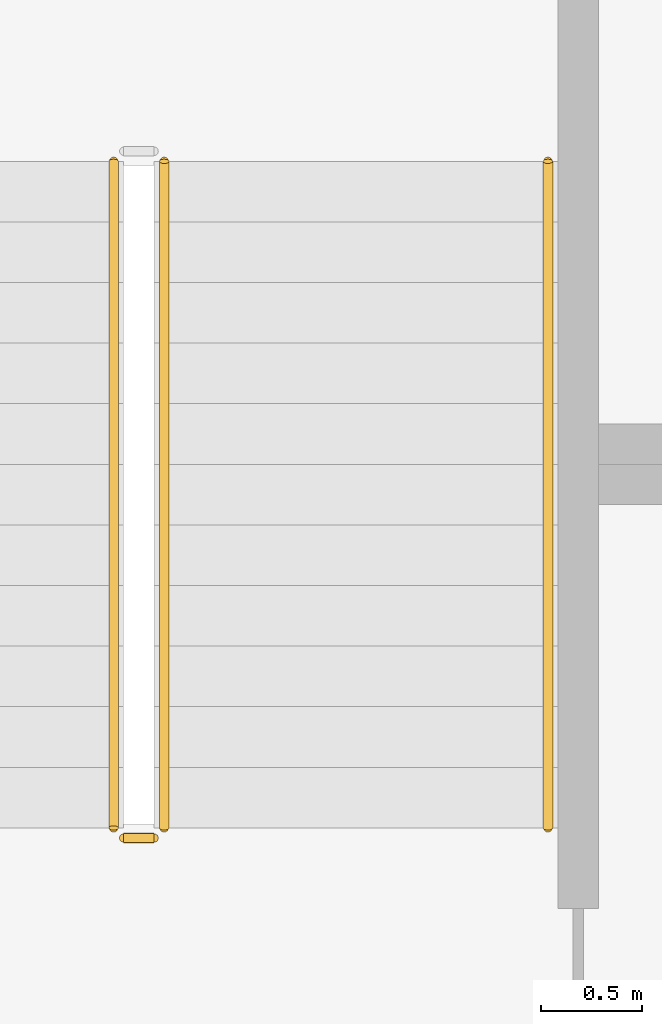
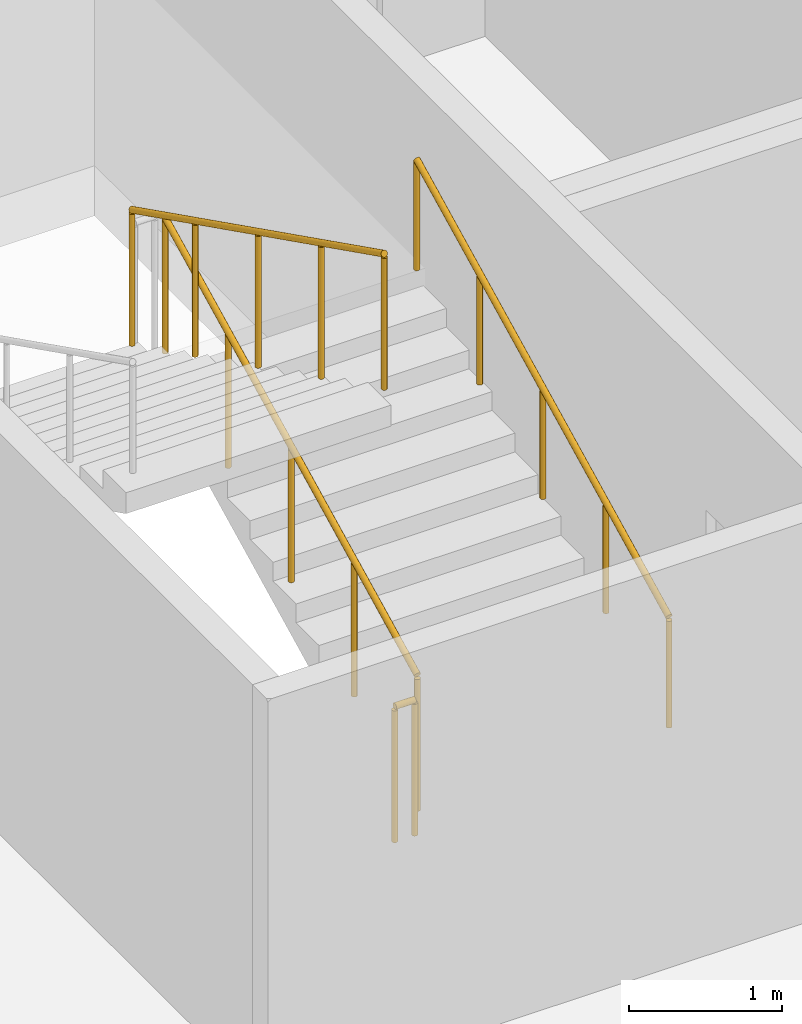
# One storey, part 33 of 37: 4 railings.
"""IFC4 building model written with IfcOpenShell, lengths in metres."""

import ifcopenshell
import ifcopenshell.guid

model = None  # the IFC model being written
_history = None  # IfcOwnerHistory: only IFC2X3 demands one
_inside = {}  # id of a spatial element -> (the spatial element, [elements in it])
_under = {}  # id of a project, library or spatial element -> (it, [spatial elements below it])
_declared = {}  # id of a project -> (the project, [libraries it declares])
_typed = {}  # id of a type object -> (the type object, [elements of that type])
_made_of = {}  # id of a material, layer set ... -> (it, [elements and type objects made of it])


def new_model(schema):
    """Start an empty IFC model of exactly this schema.

    Asked for "IFC4X3", IfcOpenShell would pick the latest addendum, in which some entities
    have other attributes; the version numbers below select the first issue.
    IFC2X3 requires an IfcOwnerHistory on every rooted entity: one is made here for all.
    """
    global model, _history
    if schema == "IFC4X3":
        model = ifcopenshell.file(schema_version=(4, 3, 0, 0))
    else:
        model = ifcopenshell.file(schema=schema)
    _inside.clear()
    _under.clear()
    _declared.clear()
    _typed.clear()
    _made_of.clear()
    _history = None
    if model.schema == "IFC2X3":
        org = make("IfcOrganization", Name="unknown")
        user = make(
            "IfcPersonAndOrganization",
            ThePerson=make("IfcPerson", FamilyName="unknown"),
            TheOrganization=org,
        )
        app = make(
            "IfcApplication",
            ApplicationDeveloper=org,
            Version="unknown",
            ApplicationFullName="unknown",
            ApplicationIdentifier="unknown",
        )
        _history = make(
            "IfcOwnerHistory",
            OwningUser=user,
            OwningApplication=app,
            ChangeAction="ADDED",
            CreationDate=0,
        )
    return model


def make(cls, **values):
    """One entity of the class cls with the attributes given. An attribute that is None is left unset."""
    return model.create_entity(
        cls, **{name: value for name, value in values.items() if value is not None}
    )


def rooted(cls, **values):
    """An entity with a GlobalId (a new one), such as an element, a storey or a relation."""
    return make(cls, GlobalId=ifcopenshell.guid.new(), OwnerHistory=_history, **values)


def si_unit(unit_type, name, prefix=None):
    """IfcSIUnit, for example si_unit("LENGTHUNIT", "METRE", prefix="MILLI")."""
    return make("IfcSIUnit", UnitType=unit_type, Prefix=prefix, Name=name)


def assignment(units):
    """IfcUnitAssignment: the units of a project."""
    return None if units is None else make("IfcUnitAssignment", Units=units)


def point(xyz):
    """IfcCartesianPoint."""
    return None if xyz is None else make("IfcCartesianPoint", Coordinates=xyz)


def direction(xyz):
    """IfcDirection."""
    return None if xyz is None else make("IfcDirection", DirectionRatios=xyz)


def frame(location, z_axis=None, x_axis=None):
    """IfcAxis2Placement3D, a coordinate frame: its origin and axes. An axis left out is left unset."""
    return make(
        "IfcAxis2Placement3D",
        Location=point(location),
        Axis=direction(z_axis),
        RefDirection=direction(x_axis),
    )


def frame_2d(location, x_axis=None):
    """IfcAxis2Placement2D, a coordinate frame in the plane: its origin and x axis."""
    return make(
        "IfcAxis2Placement2D", Location=point(location), RefDirection=direction(x_axis)
    )


def origin():
    """The frame at (0, 0, 0) with its axes left unset."""
    return frame((0.0, 0.0, 0.0))


def origin_2d():
    """The frame at (0, 0) in the plane with its x axis left unset."""
    return frame_2d((0.0, 0.0))


def place(relative_to, where):
    """IfcLocalPlacement: puts the frame where relative to a parent placement (None: the world)."""
    return make(
        "IfcLocalPlacement", PlacementRelTo=relative_to, RelativePlacement=where
    )


def context(
    kind, dimensions, precision=None, world=None, true_north=None, identifier=None
):
    """IfcGeometricRepresentationContext, for example the 3D "Model" context."""
    return make(
        "IfcGeometricRepresentationContext",
        ContextIdentifier=identifier,
        ContextType=kind,
        CoordinateSpaceDimension=dimensions,
        Precision=precision,
        WorldCoordinateSystem=world,
        TrueNorth=true_north,
    )


def subcontext(parent, identifier, kind, view, scale=None):
    """IfcGeometricRepresentationSubContext, for example "Body" below "Model"."""
    return make(
        "IfcGeometricRepresentationSubContext",
        ContextIdentifier=identifier,
        ContextType=kind,
        ParentContext=parent,
        TargetScale=scale,
        TargetView=view,
    )


def project(units=None, contexts=None):
    """IfcProject with its units and contexts."""
    return rooted(
        "IfcProject",
        Name="project",
        RepresentationContexts=contexts,
        UnitsInContext=assignment(units),
    )


def spatial(cls, under=None, at=None, **own):
    """A site, building, storey or space (cls), placed at a placement, below another one or the project."""
    s = rooted(cls, ObjectPlacement=at, **own)
    if under is not None:
        _under.setdefault(under.id(), (under, []))[1].append(s)
    return s


def profile(cls, at=None, kind="AREA", **sizes):
    """A parametric profile (cls). Its sizes go by their IFC names, for example OverallWidth=200.0."""
    return make(cls, ProfileType=kind, Position=at, **sizes)


def circle(**sizes):
    """IfcCircleProfileDef."""
    return profile("IfcCircleProfileDef", **sizes)


def extrude(swept, where, along, depth):
    """IfcExtrudedAreaSolid: the profile swept, set in the frame where, extruded along a direction by depth."""
    return make(
        "IfcExtrudedAreaSolid",
        SweptArea=swept,
        Position=where,
        ExtrudedDirection=direction(along),
        Depth=depth,
    )


def shape(context_of_items, identifier, shape_type, items):
    """IfcShapeRepresentation: the items that make up one representation, for example the "Body"."""
    return make(
        "IfcShapeRepresentation",
        ContextOfItems=context_of_items,
        RepresentationIdentifier=identifier,
        RepresentationType=shape_type,
        Items=items,
    )


def material(Name=None, Category=None):
    """IfcMaterial."""
    return make("IfcMaterial", Name=Name, Category=Category)


def made_of(thing, what):
    """Note that an element or type object is made of a material, layer set ...; save() writes the relation."""
    if what is not None:
        _made_of.setdefault(what.id(), (what, []))[1].append(thing)
    return thing


def type_object(cls, material=None, **own):
    """A type object (cls), such as IfcWallType, which elements share."""
    return made_of(rooted(cls, **own), material)


def element(
    cls,
    number,
    at=None,
    inside=None,
    cuts=None,
    type_object=None,
    material=None,
    context=None,
    identifier="Body",
    shape_type=None,
    held_by="IfcProductDefinitionShape",
    body=None,
    shapes=None,
    **own,
):
    """One element of the class cls, such as IfcWall. Its Tag is "e" and its number.

    at: its placement. inside: the storey or other place that contains it. cuts: it is an
    opening in that element (IfcRelVoidsElement). A single representation is given by context,
    identifier, shape_type and body (its items); several are given by shapes. held_by: the class
    of the entity that holds the representations. save() writes the other relations.
    """
    e = rooted(cls, Tag="e%d" % number, ObjectPlacement=at, **own)
    if body is not None:
        shapes = [shape(context, identifier, shape_type, body)]
    if shapes is not None:
        e.Representation = make(held_by, Representations=shapes)
    if inside is not None:
        _inside.setdefault(inside.id(), (inside, []))[1].append(e)
    if cuts is not None:
        rooted(
            "IfcRelVoidsElement", RelatingBuildingElement=cuts, RelatedOpeningElement=e
        )
    if type_object is not None:
        _typed.setdefault(type_object.id(), (type_object, []))[1].append(e)
    return made_of(e, material)


def aggregate(whole, parts):
    """IfcRelAggregates: a whole, such as a stair, and the parts it consists of."""
    return rooted("IfcRelAggregates", RelatingObject=whole, RelatedObjects=parts)


def save(model, path):
    """Write the relations noted so far, then the file.

    IfcRelAggregates (storeys below a building ...), IfcRelContainedInSpatialStructure (elements
    in a storey), IfcRelDefinesByType, IfcRelAssociatesMaterial and IfcRelDeclares: one each for
    every whole, place, type object, material and project.
    """
    for whole, parts in _under.values():
        aggregate(whole, parts)
    for where, things in _inside.values():
        rooted(
            "IfcRelContainedInSpatialStructure",
            RelatedElements=things,
            RelatingStructure=where,
        )
    for kind, things in _typed.values():
        rooted("IfcRelDefinesByType", RelatedObjects=things, RelatingType=kind)
    for what, things in _made_of.values():
        rooted("IfcRelAssociatesMaterial", RelatedObjects=things, RelatingMaterial=what)
    for by, libraries in _declared.values():
        rooted("IfcRelDeclares", RelatingContext=by, RelatedDefinitions=libraries)
    model.write(path)


model = new_model("IFC4")

# Units and contexts
model_context = context("Model", 3, precision=1e-05, world=origin(), true_north=direction((0.0, 1.0)))
body_context = subcontext(model_context, "Body", "Model", "MODEL_VIEW")
ifc_project = project(units=[si_unit("LENGTHUNIT", "METRE"), si_unit("AREAUNIT", "SQUARE_METRE"), si_unit("VOLUMEUNIT", "CUBIC_METRE"), si_unit("PLANEANGLEUNIT", "RADIAN"), si_unit("MASSUNIT", "GRAM", prefix="KILO")], contexts=[model_context])

# Site, building, storey
site_placement = place(None, origin())
site = spatial("IfcSite", under=ifc_project, at=site_placement, CompositionType="ELEMENT")
building_placement = place(site_placement, origin())
building = spatial("IfcBuilding", under=site, at=building_placement, Name="Tamra Quay Hotel Tower", CompositionType="ELEMENT")
storey_placement = place(building_placement, frame((0.0, 0.0, -7.199951171875)))
storey = spatial("IfcBuildingStorey", under=building, at=storey_placement, Name="B2", CompositionType="ELEMENT", Elevation=-7.199951171875)

# Railings
ifc_material_1 = material(Name="Basement stair guard 1100")
railing_type_1 = type_object("IfcRailingType", Name="Basement stair guard 1100", PredefinedType="GUARDRAIL", material=ifc_material_1)
railing_1_placement = place(storey_placement, frame((6.14990234375, 45.199951171875, 0.14990234375)))
element("IfcRailing", 1, at=railing_1_placement, inside=storey, type_object=railing_type_1, Name="BSG", PredefinedType="GUARDRAIL", context=body_context, shape_type="SweptSolid", body=[
    extrude(circle(Radius=0.02392578125, at=origin_2d()), frame((0.0, 0.0, 1.076171875), z_axis=(0.0, 0.894413956696, 0.447240063129), x_axis=(-1.0, 0.0, 0.0)), (0.0, 0.0, 1.0), 3.689697265625),
    extrude(circle(Radius=0.02099609375, at=origin_2d()), origin(), (0.0, 0.0, 1.0), 1.052001953125),
    extrude(circle(Radius=0.02099609375, at=origin_2d()), frame((0.0, 0.824951171875, 0.41259765625)), (0.0, 0.0, 1.0), 1.052001953125),
    extrude(circle(Radius=0.02099609375, at=origin_2d()), frame((0.0, 1.64990234375, 0.8251953125)), (0.0, 0.0, 1.0), 1.052001953125),
    extrude(circle(Radius=0.02099609375, at=origin_2d()), frame((0.0, 2.47509765625, 1.237548828125)), (0.0, 0.0, 1.0), 1.052001953125),
    extrude(circle(Radius=0.02099609375, at=origin_2d()), frame((0.0, 3.300048828125, 1.650146484375)), (0.0, 0.0, 1.0), 1.052001953125),
])
railing_2_placement = place(storey_placement, frame((5.89990234375, 48.5, 1.949951171875)))
element("IfcRailing", 2, at=railing_2_placement, inside=storey, type_object=railing_type_1, Name="BSG", PredefinedType="GUARDRAIL", context=body_context, shape_type="SweptSolid", body=[
    extrude(circle(Radius=0.02392578125, at=origin_2d()), frame((0.0, 0.0, 1.076171875), z_axis=(0.0, -0.894440424912, 0.447187126696), x_axis=(1.0, 0.0, 0.0)), (0.0, 0.0, 1.0), 3.689453125),
    extrude(circle(Radius=0.02099609375, at=origin_2d()), origin(), (0.0, 0.0, 1.0), 1.052001953125),
    extrude(circle(Radius=0.02099609375, at=origin_2d()), frame((0.0, -0.824951171875, 0.41259765625)), (0.0, 0.0, 1.0), 1.052001953125),
    extrude(circle(Radius=0.02099609375, at=origin_2d()), frame((0.0, -1.64990234375, 0.824951171875)), (0.0, 0.0, 1.0), 1.052001953125),
    extrude(circle(Radius=0.02099609375, at=origin_2d()), frame((0.0, -2.47509765625, 1.2373046875)), (0.0, 0.0, 1.0), 1.052001953125),
    extrude(circle(Radius=0.02099609375, at=origin_2d()), frame((0.0, -3.300048828125, 1.64990234375)), (0.0, 0.0, 1.0), 1.052001953125),
])
railing_3_placement = place(storey_placement, frame((6.10009765625, 45.14990234375, 0.0)))
element("IfcRailing", 3, at=railing_3_placement, inside=storey, type_object=railing_type_1, Name="BSG", PredefinedType="GUARDRAIL", context=body_context, shape_type="SweptSolid", body=[
    extrude(circle(Radius=0.02392578125, at=origin_2d()), frame((0.0, 0.0, 1.076171875), z_axis=(-1.0, 0.0, 0.0), x_axis=(0.0, -1.0, 0.0)), (0.0, 0.0, 1.0), 0.150146484375),
    extrude(circle(Radius=0.02099609375, at=origin_2d()), origin(), (0.0, 0.0, 1.0), 1.052001953125),
    extrude(circle(Radius=0.02099609375, at=origin_2d()), frame((-0.150146484375, 0.0, 0.0)), (0.0, 0.0, 1.0), 1.052001953125),
])
ifc_material_2 = material(Name="Basement stair handrail 900")
railing_type_2 = type_object("IfcRailingType", Name="Basement stair handrail 900", PredefinedType="HANDRAIL", material=ifc_material_2)
railing_4_placement = place(storey_placement, frame((8.050048828125, 45.199951171875, 0.14990234375)))
element("IfcRailing", 4, at=railing_4_placement, inside=storey, type_object=railing_type_2, Name="BSH", PredefinedType="HANDRAIL", context=body_context, shape_type="SweptSolid", body=[
    extrude(circle(Radius=0.02392578125, at=origin_2d()), frame((0.0, 0.0, 0.8759765625), z_axis=(0.0, 0.894413956696, 0.447240063129), x_axis=(-1.0, 0.0, 0.0)), (0.0, 0.0, 1.0), 3.689697265625),
    extrude(circle(Radius=0.02099609375, at=origin_2d()), origin(), (0.0, 0.0, 1.0), 0.851806640625),
    extrude(circle(Radius=0.02099609375, at=origin_2d()), frame((0.0, 0.824951171875, 0.41259765625)), (0.0, 0.0, 1.0), 0.851806640625),
    extrude(circle(Radius=0.02099609375, at=origin_2d()), frame((0.0, 1.64990234375, 0.8251953125)), (0.0, 0.0, 1.0), 0.851806640625),
    extrude(circle(Radius=0.02099609375, at=origin_2d()), frame((0.0, 2.47509765625, 1.237548828125)), (0.0, 0.0, 1.0), 0.851806640625),
    extrude(circle(Radius=0.02099609375, at=origin_2d()), frame((0.0, 3.300048828125, 1.650146484375)), (0.0, 0.0, 1.0), 0.851806640625),
])

save(model, "model.ifc")
